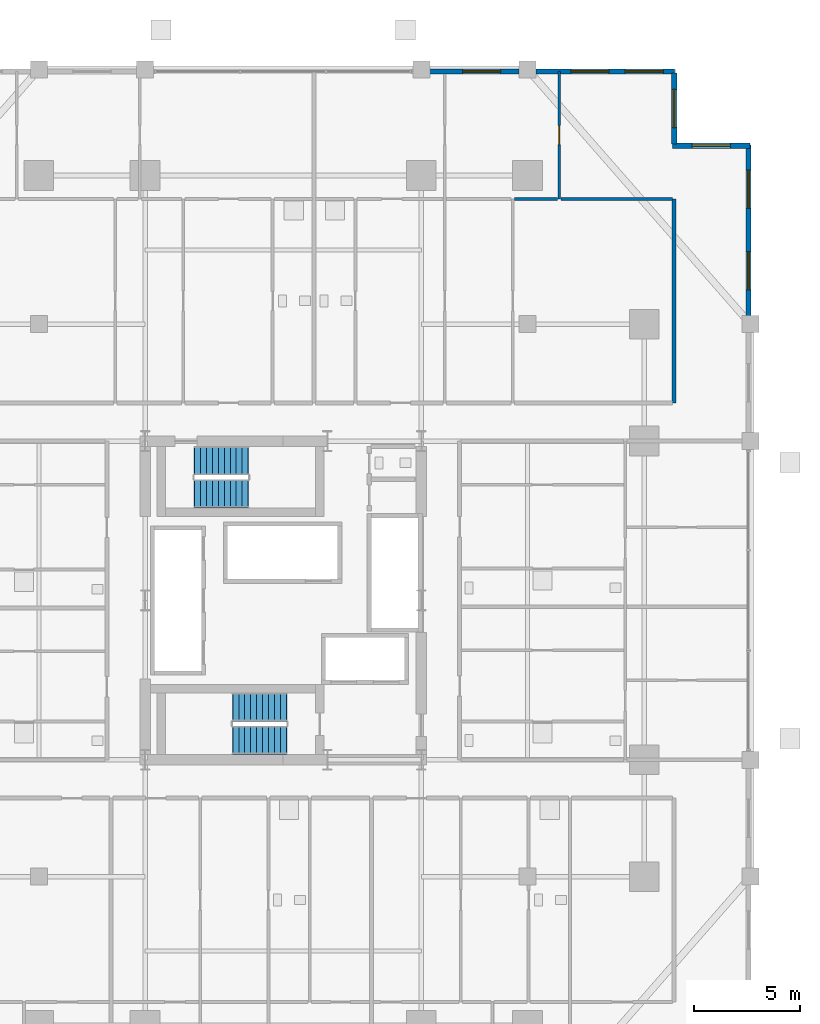
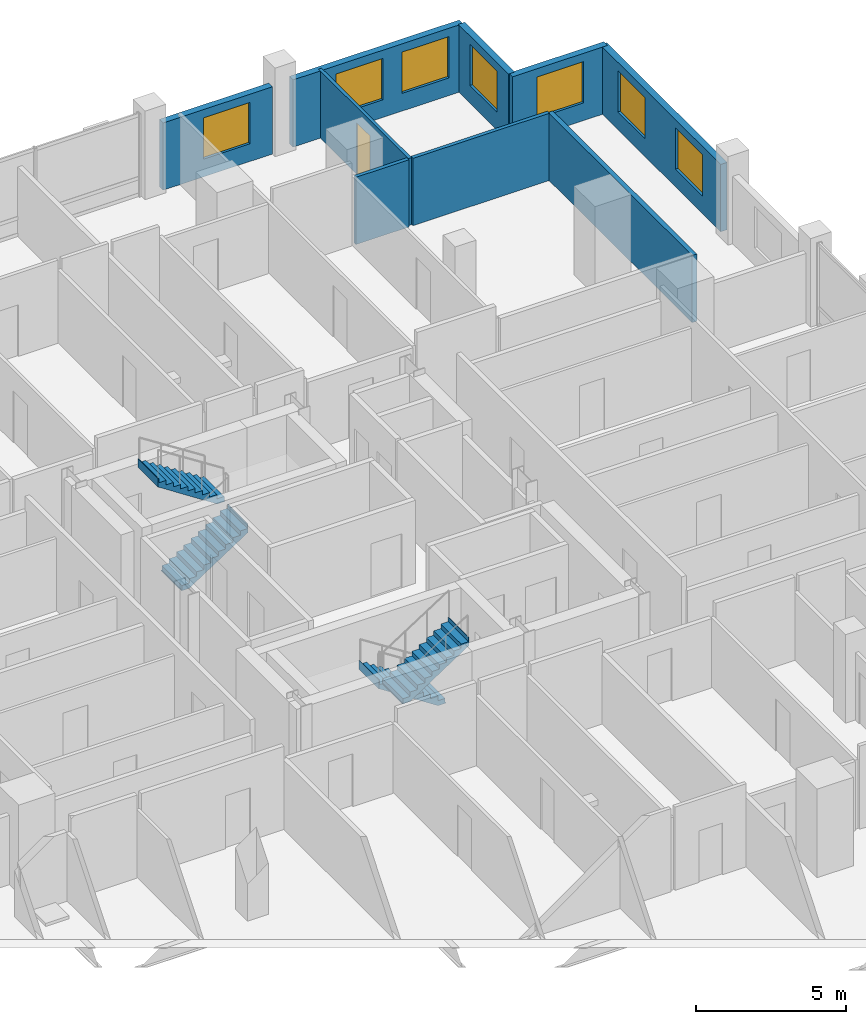
# One storey, part 22 of 24: 9 walls, 7 windows, 4 stair flights, 1 door, 8 openings, 2 elements without a shape of their own.
"""IFC4 building model written with IfcOpenShell, lengths in metres."""

from ifc_helpers import new_model, si_unit, direction, frame, frame_2d, origin, place, context, subcontext, project, spatial, polyline, rectangle, outline, extrude, material, layer, layer_set, type_object, element, fill, aggregate, save


model = new_model("IFC4")

# Units and contexts
model_context = context("Model", 3, precision=1e-05, world=origin(), true_north=direction((0.0, 1.0)))
body_context = subcontext(model_context, "Body", "Model", "MODEL_VIEW")
ifc_project = project(units=[si_unit("LENGTHUNIT", "METRE"), si_unit("AREAUNIT", "SQUARE_METRE"), si_unit("VOLUMEUNIT", "CUBIC_METRE"), si_unit("PLANEANGLEUNIT", "RADIAN"), si_unit("MASSUNIT", "GRAM", prefix="KILO")], contexts=[model_context])

# Site, building, storey
site_placement = place(None, origin())
site = spatial("IfcSite", under=ifc_project, at=site_placement, CompositionType="ELEMENT")
building_placement = place(site_placement, origin())
building = spatial("IfcBuilding", under=site, at=building_placement, Name="Barlavira Tower and Art Museum", CompositionType="ELEMENT")
storey_placement = place(building_placement, frame((0.0, 0.0, 32.39990234375)))
storey = spatial("IfcBuildingStorey", under=building, at=storey_placement, Name="L06", CompositionType="ELEMENT", Elevation=32.39990234375)

# Wall, opening, door
ifc_material_1 = material(Name="Gypsum acoustic stud partition", Category="gypsum")
ifc_layer_1 = layer(ifc_material_1, 0.1201171875, Name="Gypsum acoustic stud partition")
ifc_layer_set_1 = layer_set([ifc_layer_1], Name="Gypsum acoustic stud partition")
wall_type_1 = type_object("IfcWallType", Name="Apartment Internal Acoustic Partition 120", PredefinedType="PARTITIONING", material=ifc_layer_set_1)
wall_1_placement = place(storey_placement, frame((13.0, 18.89990234375, 0.0), z_axis=(0.0, 0.0, 1.0), x_axis=(0.0, 1.0, 0.0)))
wall_1 = element("IfcWall", 1, at=wall_1_placement, inside=storey, type_object=wall_type_1, Name="L06 Partition Wall 28", PredefinedType="PARTITIONING", context=body_context, shape_type="SweptSolid", body=[
    extrude(rectangle(XDim=6.0, YDim=0.1201171875, at=frame_2d((3.0, 0.0))), origin(), (0.0, 0.0, 1.0), 2.736083984375),
])
opening_1_placement = place(wall_1_placement, frame((2.550048828125, 0.0, 0.0)))
opening_1 = element("IfcOpeningElement", 2, at=opening_1_placement, cuts=wall_1, Name="Opening D-01", PredefinedType="OPENING", context=body_context, shape_type="SweptSolid", body=[
    extrude(rectangle(XDim=0.89990234375, YDim=2.10009765625, at=frame_2d((0.449951171875, 1.050048828125))), frame((0.0, 0.070068359375, 0.0), z_axis=(0.0, -1.0, 0.0), x_axis=(1.0, 0.0, 0.0)), (0.0, 0.0, 1.0), 0.14013671875),
])
ifc_material_2 = material(Name="Engineered coastal hardwood", Category="wood")
door_type = type_object("IfcDoorType", Name="Internal Bedroom Timber Flush Door 900x2100", OperationType="NOTDEFINED", PredefinedType="DOOR", material=ifc_material_2)
door_placement = place(opening_1_placement, origin())
door = element("IfcDoor", 3, at=door_placement, inside=storey, type_object=door_type, Name="Apartment N2 Bedroom 2 Door", OperationType="SINGLE_SWING_RIGHT", OverallHeight=2.10009765625, OverallWidth=0.89990234375, PredefinedType="DOOR", context=body_context, shape_type="SweptSolid", body=[
    extrude(rectangle(XDim=0.89990234375, YDim=2.10009765625, at=frame_2d((0.449951171875, 1.050048828125))), frame((0.0, 0.02490234375, 0.0), z_axis=(0.0, -1.0, 0.0), x_axis=(1.0, 0.0, 0.0)), (0.0, 0.0, 1.0), 0.050048828125),
])
fill(opening_1, door)

# Walls
ifc_layer_2 = layer(ifc_material_1, 0.179931640625, Name="Gypsum acoustic stud partition")
ifc_layer_set_2 = layer_set([ifc_layer_2], Name="Gypsum acoustic stud partition")
wall_type_2 = type_object("IfcWallType", Name="Inter-Tenancy Party Partition Wall 180", PredefinedType="PARTITIONING", material=ifc_layer_set_2)
wall_2_placement = place(storey_placement, frame((18.39990234375, 9.300048828125, 0.0), z_axis=(0.0, 0.0, 1.0), x_axis=(0.0, 1.0, 0.0)))
element("IfcWall", 4, at=wall_2_placement, inside=storey, type_object=wall_type_2, Name="L06 Partition Wall 32", PredefinedType="PARTITIONING", context=body_context, shape_type="SweptSolid", body=[
    extrude(rectangle(XDim=9.599853515625, YDim=0.179931640625, at=frame_2d((4.7998046875, 0.0))), origin(), (0.0, 0.0, 1.0), 2.736083984375),
])
ifc_layer_3 = layer(ifc_material_1, 0.139892578125, Name="Gypsum acoustic stud partition")
ifc_layer_set_3 = layer_set([ifc_layer_3], Name="Gypsum acoustic stud partition")
wall_type_3 = type_object("IfcWallType", Name="Moisture-Resistant Bathroom Partition 140", PredefinedType="PARTITIONING", material=ifc_layer_set_3)
wall_3_placement = place(storey_placement, frame((10.8798828125, 18.89990234375, 0.0), z_axis=(0.0, 0.0, 1.0), x_axis=(1.0, 0.0, 0.0)))
element("IfcWall", 5, at=wall_3_placement, inside=storey, type_object=wall_type_3, Name="L06 Partition Wall 101", PredefinedType="PARTITIONING", context=body_context, shape_type="SweptSolid", body=[
    extrude(rectangle(XDim=2.0400390625, YDim=0.139892578125, at=frame_2d((1.02001953125, 0.0))), origin(), (0.0, 0.0, 1.0), 2.736083984375),
])
wall_4_placement = place(storey_placement, frame((13.080078125, 18.89990234375, 0.0), z_axis=(0.0, 0.0, 1.0), x_axis=(1.0, 0.0, 0.0)))
element("IfcWall", 6, at=wall_4_placement, inside=storey, type_object=wall_type_3, Name="L06 Partition Wall 102", PredefinedType="PARTITIONING", context=body_context, shape_type="SweptSolid", body=[
    extrude(rectangle(XDim=5.239990234375, YDim=0.139892578125, at=frame_2d((2.6201171875, 0.0))), origin(), (0.0, 0.0, 1.0), 2.736083984375),
])

# Wall, openings, windows
ifc_material_3 = material(Name="Precast concrete C40", Category="concrete")
ifc_layer_4 = layer(ifc_material_3, 0.25, Name="Precast concrete C40")
ifc_layer_set_4 = layer_set([ifc_layer_4], Name="Precast concrete C40")
wall_type_4 = type_object("IfcWallType", Name="Notched Corner Spandrel Wall 250 Precast Concrete C40", PredefinedType="SOLIDWALL", material=ifc_layer_set_4)
wall_5_placement = place(storey_placement, frame((18.425048828125, 24.89990234375, 0.0), z_axis=(0.0, 0.0, 1.0), x_axis=(-1.0, 0.0, 0.0)))
wall_5 = element("IfcWall", 7, at=wall_5_placement, inside=storey, type_object=wall_type_4, Name="L06 Coastal Facade Pier Wall CW1-L06-N-1", PredefinedType="SOLIDWALL", context=body_context, shape_type="SweptSolid", body=[
    extrude(rectangle(XDim=6.530029296875, YDim=0.25, at=frame_2d((3.26513671875, 0.0))), origin(), (0.0, 0.0, 1.0), 2.736083984375),
])
opening_2_placement = place(wall_5_placement, frame((0.533935546875, 0.0, 0.719970703125)))
opening_2 = element("IfcOpeningElement", 8, at=opening_2_placement, cuts=wall_5, Name="Opening WN-01", PredefinedType="OPENING", context=body_context, shape_type="SweptSolid", body=[
    extrude(rectangle(XDim=1.800048828125, YDim=1.679931640625, at=frame_2d((0.89990234375, 0.83984375))), frame((0.0, 0.135009765625, 0.0), z_axis=(0.0, -1.0, 0.0), x_axis=(1.0, 0.0, 0.0)), (0.0, 0.0, 1.0), 0.27001953125),
])
opening_3_placement = place(wall_5_placement, frame((3.0810546875, 0.0, 0.719970703125)))
opening_3 = element("IfcOpeningElement", 9, at=opening_3_placement, cuts=wall_5, Name="Opening WN-01", PredefinedType="OPENING", context=body_context, shape_type="SweptSolid", body=[
    extrude(rectangle(XDim=1.800048828125, YDim=1.679931640625, at=frame_2d((0.89990234375, 0.83984375))), frame((0.0, 0.135009765625, 0.0), z_axis=(0.0, -1.0, 0.0), x_axis=(1.0, 0.0, 0.0)), (0.0, 0.0, 1.0), 0.27001953125),
])
ifc_material_4 = material(Name="Low-iron coastal laminated glass", Category="glass")
window_type = type_object("IfcWindowType", Name="Recessed Notch Corner Punch Window 1800x1680", PartitioningType="SINGLE_PANEL", PredefinedType="WINDOW", material=ifc_material_4)
window_1_placement = place(opening_2_placement, origin())
window_1 = element("IfcWindow", 10, at=window_1_placement, inside=storey, type_object=window_type, Name="L06 Punched Facade Window EWP-CW1-L06-N-1-1", OverallHeight=1.679931640625, OverallWidth=1.800048828125, PartitioningType="SINGLE_PANEL", PredefinedType="WINDOW", context=body_context, shape_type="SweptSolid", body=[
    extrude(rectangle(XDim=1.800048828125, YDim=1.679931640625, at=frame_2d((0.89990234375, 0.83984375))), frame((0.0, 0.030029296875, 0.0), z_axis=(0.0, -1.0, 0.0), x_axis=(1.0, 0.0, 0.0)), (0.0, 0.0, 1.0), 0.06005859375),
])
fill(opening_2, window_1)
window_2_placement = place(opening_3_placement, origin())
window_2 = element("IfcWindow", 11, at=window_2_placement, inside=storey, type_object=window_type, Name="L06 Punched Facade Window EWP-CW1-L06-N-1-2", OverallHeight=1.679931640625, OverallWidth=1.800048828125, PartitioningType="SINGLE_PANEL", PredefinedType="WINDOW", context=body_context, shape_type="SweptSolid", body=[
    extrude(rectangle(XDim=1.800048828125, YDim=1.679931640625, at=frame_2d((0.89990234375, 0.83984375))), frame((0.0, 0.030029296875, 0.0), z_axis=(0.0, -1.0, 0.0), x_axis=(1.0, 0.0, 0.0)), (0.0, 0.0, 1.0), 0.06005859375),
])
fill(opening_3, window_2)

# Wall, opening, window
wall_6_placement = place(storey_placement, frame((11.10498046875, 24.89990234375, 0.0), z_axis=(0.0, 0.0, 1.0), x_axis=(-1.0, 0.0, 0.0)))
wall_6 = element("IfcWall", 12, at=wall_6_placement, inside=storey, type_object=wall_type_4, Name="L06 Coastal Facade Pier Wall CW1-L06-N-2", PredefinedType="SOLIDWALL", context=body_context, shape_type="SweptSolid", body=[
    extrude(rectangle(XDim=4.2099609375, YDim=0.25, at=frame_2d((2.10498046875, 0.0))), origin(), (0.0, 0.0, 1.0), 2.736083984375),
])
opening_4_placement = place(wall_6_placement, frame((0.864990234375, 0.0, 0.719970703125)))
opening_4 = element("IfcOpeningElement", 13, at=opening_4_placement, cuts=wall_6, Name="Opening WN-01", PredefinedType="OPENING", context=body_context, shape_type="SweptSolid", body=[
    extrude(rectangle(XDim=1.800048828125, YDim=1.679931640625, at=frame_2d((0.89990234375, 0.83984375))), frame((0.0, 0.135009765625, 0.0), z_axis=(0.0, -1.0, 0.0), x_axis=(1.0, 0.0, 0.0)), (0.0, 0.0, 1.0), 0.27001953125),
])
window_3_placement = place(opening_4_placement, origin())
window_3 = element("IfcWindow", 14, at=window_3_placement, inside=storey, type_object=window_type, Name="L06 Punched Facade Window EWP-CW1-L06-N-2-1", OverallHeight=1.679931640625, OverallWidth=1.800048828125, PartitioningType="SINGLE_PANEL", PredefinedType="WINDOW", context=body_context, shape_type="SweptSolid", body=[
    extrude(rectangle(XDim=1.800048828125, YDim=1.679931640625, at=frame_2d((0.89990234375, 0.83984375))), frame((0.0, 0.030029296875, 0.0), z_axis=(0.0, -1.0, 0.0), x_axis=(1.0, 0.0, 0.0)), (0.0, 0.0, 1.0), 0.06005859375),
])
fill(opening_4, window_3)

# Wall, openings, windows
wall_7_placement = place(storey_placement, frame((21.89990234375, 13.39501953125, 0.0), z_axis=(0.0, 0.0, 1.0), x_axis=(0.0, 1.0, 0.0)))
wall_7 = element("IfcWall", 15, at=wall_7_placement, inside=storey, type_object=wall_type_4, Name="L06 Coastal Facade Pier Wall CW1-L06-E-5", PredefinedType="SOLIDWALL", context=body_context, shape_type="SweptSolid", body=[
    extrude(rectangle(XDim=8.030029296875, YDim=0.25, at=frame_2d((4.01513671875, 0.0))), origin(), (0.0, 0.0, 1.0), 2.736083984375),
])
opening_5_placement = place(wall_7_placement, frame((1.220947265625, 0.0, 0.719970703125)))
opening_5 = element("IfcOpeningElement", 16, at=opening_5_placement, cuts=wall_7, Name="Opening WN-01", PredefinedType="OPENING", context=body_context, shape_type="SweptSolid", body=[
    extrude(rectangle(XDim=1.800048828125, YDim=1.679931640625, at=frame_2d((0.89990234375, 0.83984375))), frame((0.0, 0.135009765625, 0.0), z_axis=(0.0, -1.0, 0.0), x_axis=(1.0, 0.0, 0.0)), (0.0, 0.0, 1.0), 0.27001953125),
])
opening_6_placement = place(wall_7_placement, frame((5.053955078125, 0.0, 0.719970703125)))
opening_6 = element("IfcOpeningElement", 17, at=opening_6_placement, cuts=wall_7, Name="Opening WN-01", PredefinedType="OPENING", context=body_context, shape_type="SweptSolid", body=[
    extrude(rectangle(XDim=1.800048828125, YDim=1.679931640625, at=frame_2d((0.89990234375, 0.83984375))), frame((0.0, 0.135009765625, 0.0), z_axis=(0.0, -1.0, 0.0), x_axis=(1.0, 0.0, 0.0)), (0.0, 0.0, 1.0), 0.27001953125),
])
window_4_placement = place(opening_5_placement, origin())
window_4 = element("IfcWindow", 18, at=window_4_placement, inside=storey, type_object=window_type, Name="L06 Punched Facade Window EWP-CW1-L06-E-5-1", OverallHeight=1.679931640625, OverallWidth=1.800048828125, PartitioningType="SINGLE_PANEL", PredefinedType="WINDOW", context=body_context, shape_type="SweptSolid", body=[
    extrude(rectangle(XDim=1.800048828125, YDim=1.679931640625, at=frame_2d((0.89990234375, 0.83984375))), frame((0.0, 0.030029296875, 0.0), z_axis=(0.0, -1.0, 0.0), x_axis=(1.0, 0.0, 0.0)), (0.0, 0.0, 1.0), 0.06005859375),
])
fill(opening_5, window_4)
window_5_placement = place(opening_6_placement, origin())
window_5 = element("IfcWindow", 19, at=window_5_placement, inside=storey, type_object=window_type, Name="L06 Punched Facade Window EWP-CW1-L06-E-5-2", OverallHeight=1.679931640625, OverallWidth=1.800048828125, PartitioningType="SINGLE_PANEL", PredefinedType="WINDOW", context=body_context, shape_type="SweptSolid", body=[
    extrude(rectangle(XDim=1.800048828125, YDim=1.679931640625, at=frame_2d((0.89990234375, 0.83984375))), frame((0.0, 0.030029296875, 0.0), z_axis=(0.0, -1.0, 0.0), x_axis=(1.0, 0.0, 0.0)), (0.0, 0.0, 1.0), 0.06005859375),
])
fill(opening_6, window_5)

# Wall, opening, window
wall_8_placement = place(storey_placement, frame((21.97998046875, 21.39990234375, 0.0), z_axis=(0.0, 0.0, 1.0), x_axis=(-1.0, 0.0, 0.0)))
wall_8 = element("IfcWall", 20, at=wall_8_placement, inside=storey, type_object=wall_type_4, Name="L06 Notch Corner Wall NE1", PredefinedType="SOLIDWALL", context=body_context, shape_type="SweptSolid", body=[
    extrude(rectangle(XDim=3.659912109375, YDim=0.25, at=frame_2d((1.830078125, 0.0))), origin(), (0.0, 0.0, 1.0), 2.736083984375),
])
opening_7_placement = place(wall_8_placement, frame((0.929931640625, 0.0, 0.719970703125)))
opening_7 = element("IfcOpeningElement", 21, at=opening_7_placement, cuts=wall_8, Name="Opening WN-01", PredefinedType="OPENING", context=body_context, shape_type="SweptSolid", body=[
    extrude(rectangle(XDim=1.800048828125, YDim=1.679931640625, at=frame_2d((0.89990234375, 0.83984375))), frame((0.0, 0.135009765625, 0.0), z_axis=(0.0, -1.0, 0.0), x_axis=(1.0, 0.0, 0.0)), (0.0, 0.0, 1.0), 0.27001953125),
])
window_6_placement = place(opening_7_placement, origin())
window_6 = element("IfcWindow", 22, at=window_6_placement, inside=storey, type_object=window_type, Name="L06 Punched Facade Window EW-NTC-L06-NE1-1", OverallHeight=1.679931640625, OverallWidth=1.800048828125, PartitioningType="SINGLE_PANEL", PredefinedType="WINDOW", context=body_context, shape_type="SweptSolid", body=[
    extrude(rectangle(XDim=1.800048828125, YDim=1.679931640625, at=frame_2d((0.89990234375, 0.83984375))), frame((0.0, 0.030029296875, 0.0), z_axis=(0.0, -1.0, 0.0), x_axis=(1.0, 0.0, 0.0)), (0.0, 0.0, 1.0), 0.06005859375),
])
fill(opening_7, window_6)

wall_9_placement = place(storey_placement, frame((18.39990234375, 21.47998046875, 0.0), z_axis=(0.0, 0.0, 1.0), x_axis=(0.0, 1.0, 0.0)))
wall_9 = element("IfcWall", 23, at=wall_9_placement, inside=storey, type_object=wall_type_4, Name="L06 Notch Corner Wall NE2", PredefinedType="SOLIDWALL", context=body_context, shape_type="SweptSolid", body=[
    extrude(rectangle(XDim=3.340087890625, YDim=0.25, at=frame_2d((1.669921875, 0.0))), origin(), (0.0, 0.0, 1.0), 2.736083984375),
])
opening_8_placement = place(wall_9_placement, frame((0.77001953125, 0.0, 0.719970703125)))
opening_8 = element("IfcOpeningElement", 24, at=opening_8_placement, cuts=wall_9, Name="Opening WN-01", PredefinedType="OPENING", context=body_context, shape_type="SweptSolid", body=[
    extrude(rectangle(XDim=1.800048828125, YDim=1.679931640625, at=frame_2d((0.89990234375, 0.83984375))), frame((0.0, 0.135009765625, 0.0), z_axis=(0.0, -1.0, 0.0), x_axis=(1.0, 0.0, 0.0)), (0.0, 0.0, 1.0), 0.27001953125),
])
window_7_placement = place(opening_8_placement, origin())
window_7 = element("IfcWindow", 25, at=window_7_placement, inside=storey, type_object=window_type, Name="L06 Punched Facade Window EW-NTC-L06-NE2-1", OverallHeight=1.679931640625, OverallWidth=1.800048828125, PartitioningType="SINGLE_PANEL", PredefinedType="WINDOW", context=body_context, shape_type="SweptSolid", body=[
    extrude(rectangle(XDim=1.800048828125, YDim=1.679931640625, at=frame_2d((0.89990234375, 0.83984375))), frame((0.0, 0.030029296875, 0.0), z_axis=(0.0, -1.0, 0.0), x_axis=(1.0, 0.0, 0.0)), (0.0, 0.0, 1.0), 0.06005859375),
])
fill(opening_8, window_7)

# Stair, stair flights
ifc_material_5 = material(Name="Concrete C45", Category="concrete")
stair_type_1 = type_object("IfcStairType", Name="Tower North Dog-Leg Exit Stair Assembly Concrete C45", PredefinedType="TWO_QUARTER_TURN_STAIR", material=ifc_material_5)
stair_1_placement = place(storey_placement, origin())
stair_1 = element("IfcStair", 26, at=stair_1_placement, inside=storey, type_object=stair_type_1, Name="L06 Tower North Exit Stair ST-T2", PredefinedType="TWO_QUARTER_TURN_STAIR")
ifc_material_6 = material(Name="Precast concrete C45", Category="concrete")
stair_flight_type_1 = type_object("IfcStairFlightType", Name="Tower North Dog-Leg Exit Stair Precast Flight 1350 Concrete C45", PredefinedType="STRAIGHT", material=ifc_material_6)
stair_flight_1_placement = place(storey_placement, frame((-4.169921875, 5.02490234375, 0.0), z_axis=(0.0, 0.0, 1.0), x_axis=(1.0, 0.0, 0.0)))
stair_flight_1 = element("IfcStairFlight", 27, at=stair_flight_1_placement, type_object=stair_flight_type_1, Name="ST-T2 flight 1", NumberOfRisers=10, NumberOfTreads=9, PredefinedType="STRAIGHT", RiserHeight=0.18, TreadLength=0.28, context=body_context, shape_type="SweptSolid", body=[
    extrude(outline(polyline([(-0.02490234375, 0.0), (0.0, 0.0), (0.0, 0.179931640625), (0.280029296875, 0.179931640625), (0.280029296875, 0.360107421875), (0.56005859375, 0.360107421875), (0.56005859375, 0.5400390625), (0.840087890625, 0.5400390625), (0.840087890625, 0.719970703125), (1.1201171875, 0.719970703125), (1.1201171875, 0.89990234375), (1.39990234375, 0.89990234375), (1.39990234375, 1.080078125), (1.679931640625, 1.080078125), (1.679931640625, 1.260009765625), (1.9599609375, 1.260009765625), (1.9599609375, 1.43994140625), (2.239990234375, 1.43994140625), (2.239990234375, 1.6201171875), (2.52001953125, 1.6201171875), (2.52001953125, 1.800048828125), (2.544921875, 1.800048828125), (2.544921875, 1.44189453125), (2.52001953125, 1.44189453125), (0.277099609375, -0.02490234375), (-0.02490234375, -0.02490234375), (-0.02490234375, 0.0)])), frame((0.0, 0.675048828125, 0.0), z_axis=(0.0, -1.0, 0.0), x_axis=(1.0, 0.0, 0.0)), (0.0, 0.0, 1.0), 1.35009765625),
])
stair_flight_2_placement = place(storey_placement, frame((-1.64990234375, 6.574951171875, 1.800048828125), z_axis=(0.0, 0.0, 1.0), x_axis=(-1.0, 0.0, 0.0)))
stair_flight_2 = element("IfcStairFlight", 28, at=stair_flight_2_placement, type_object=stair_flight_type_1, Name="ST-T2 flight 2", NumberOfRisers=10, NumberOfTreads=9, PredefinedType="STRAIGHT", RiserHeight=0.18, TreadLength=0.28, context=body_context, shape_type="SweptSolid", body=[
    extrude(outline(polyline([(-0.02490234375, 0.0), (0.0, 0.0), (0.0, 0.179931640625), (0.280029296875, 0.179931640625), (0.280029296875, 0.360107421875), (0.56005859375, 0.360107421875), (0.56005859375, 0.5400390625), (0.840087890625, 0.5400390625), (0.840087890625, 0.719970703125), (1.1201171875, 0.719970703125), (1.1201171875, 0.89990234375), (1.39990234375, 0.89990234375), (1.39990234375, 1.080078125), (1.679931640625, 1.080078125), (1.679931640625, 1.260009765625), (1.9599609375, 1.260009765625), (1.9599609375, 1.43994140625), (2.239990234375, 1.43994140625), (2.239990234375, 1.6201171875), (2.52001953125, 1.6201171875), (2.52001953125, 1.800048828125), (2.544921875, 1.800048828125), (2.544921875, 1.44189453125), (2.52001953125, 1.44189453125), (0.277099609375, -0.02490234375), (-0.02490234375, -0.02490234375), (-0.02490234375, 0.0)])), frame((0.0, 0.675048828125, 0.0), z_axis=(0.0, -1.0, 0.0), x_axis=(1.0, 0.0, 0.0)), (0.0, 0.0, 1.0), 1.35009765625),
])
aggregate(stair_1, [stair_flight_1, stair_flight_2])

stair_type_2 = type_object("IfcStairType", Name="Tower South Dog-Leg Exit Stair Assembly Concrete C45", PredefinedType="TWO_QUARTER_TURN_STAIR", material=ifc_material_5)
stair_2_placement = place(storey_placement, origin())
stair_2 = element("IfcStair", 29, at=stair_2_placement, inside=storey, type_object=stair_type_2, Name="L06 Tower South Exit Stair ST-T1", PredefinedType="TWO_QUARTER_TURN_STAIR")
stair_flight_type_2 = type_object("IfcStairFlightType", Name="Tower South Dog-Leg Exit Stair Precast Flight 1350 Concrete C45", PredefinedType="STRAIGHT", material=ifc_material_6)
stair_flight_3_placement = place(storey_placement, frame((0.14990234375, -5.02490234375, 0.0), z_axis=(0.0, 0.0, 1.0), x_axis=(-1.0, 0.0, 0.0)))
stair_flight_3 = element("IfcStairFlight", 30, at=stair_flight_3_placement, type_object=stair_flight_type_2, Name="ST-T1 flight 1", NumberOfRisers=10, NumberOfTreads=9, PredefinedType="STRAIGHT", RiserHeight=0.18, TreadLength=0.28, context=body_context, shape_type="SweptSolid", body=[
    extrude(outline(polyline([(-0.02490234375, 0.0), (0.0, 0.0), (0.0, 0.179931640625), (0.280029296875, 0.179931640625), (0.280029296875, 0.360107421875), (0.56005859375, 0.360107421875), (0.56005859375, 0.5400390625), (0.840087890625, 0.5400390625), (0.840087890625, 0.719970703125), (1.1201171875, 0.719970703125), (1.1201171875, 0.89990234375), (1.39990234375, 0.89990234375), (1.39990234375, 1.080078125), (1.679931640625, 1.080078125), (1.679931640625, 1.260009765625), (1.9599609375, 1.260009765625), (1.9599609375, 1.43994140625), (2.239990234375, 1.43994140625), (2.239990234375, 1.6201171875), (2.52001953125, 1.6201171875), (2.52001953125, 1.800048828125), (2.544921875, 1.800048828125), (2.544921875, 1.44189453125), (2.52001953125, 1.44189453125), (0.277099609375, -0.02490234375), (-0.02490234375, -0.02490234375), (-0.02490234375, 0.0)])), frame((0.0, 0.675048828125, 0.0), z_axis=(0.0, -1.0, 0.0), x_axis=(1.0, 0.0, 0.0)), (0.0, 0.0, 1.0), 1.35009765625),
])
stair_flight_4_placement = place(storey_placement, frame((-2.3701171875, -6.574951171875, 1.800048828125), z_axis=(0.0, 0.0, 1.0), x_axis=(1.0, 0.0, 0.0)))
stair_flight_4 = element("IfcStairFlight", 31, at=stair_flight_4_placement, type_object=stair_flight_type_2, Name="ST-T1 flight 2", NumberOfRisers=10, NumberOfTreads=9, PredefinedType="STRAIGHT", RiserHeight=0.18, TreadLength=0.28, context=body_context, shape_type="SweptSolid", body=[
    extrude(outline(polyline([(-0.02490234375, 0.0), (0.0, 0.0), (0.0, 0.179931640625), (0.280029296875, 0.179931640625), (0.280029296875, 0.360107421875), (0.56005859375, 0.360107421875), (0.56005859375, 0.5400390625), (0.840087890625, 0.5400390625), (0.840087890625, 0.719970703125), (1.1201171875, 0.719970703125), (1.1201171875, 0.89990234375), (1.39990234375, 0.89990234375), (1.39990234375, 1.080078125), (1.679931640625, 1.080078125), (1.679931640625, 1.260009765625), (1.9599609375, 1.260009765625), (1.9599609375, 1.43994140625), (2.239990234375, 1.43994140625), (2.239990234375, 1.6201171875), (2.52001953125, 1.6201171875), (2.52001953125, 1.800048828125), (2.544921875, 1.800048828125), (2.544921875, 1.44189453125), (2.52001953125, 1.44189453125), (0.277099609375, -0.02490234375), (-0.02490234375, -0.02490234375), (-0.02490234375, 0.0)])), frame((0.0, 0.675048828125, 0.0), z_axis=(0.0, -1.0, 0.0), x_axis=(1.0, 0.0, 0.0)), (0.0, 0.0, 1.0), 1.35009765625),
])
aggregate(stair_2, [stair_flight_3, stair_flight_4])

save(model, "model.ifc")
